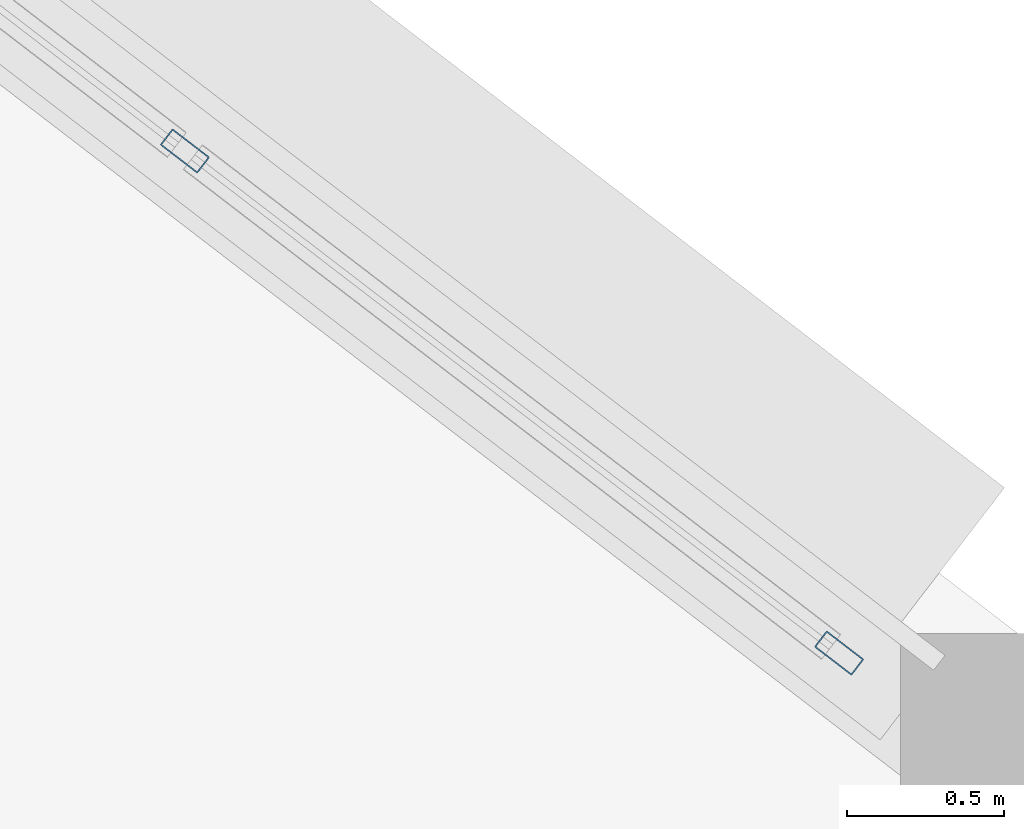
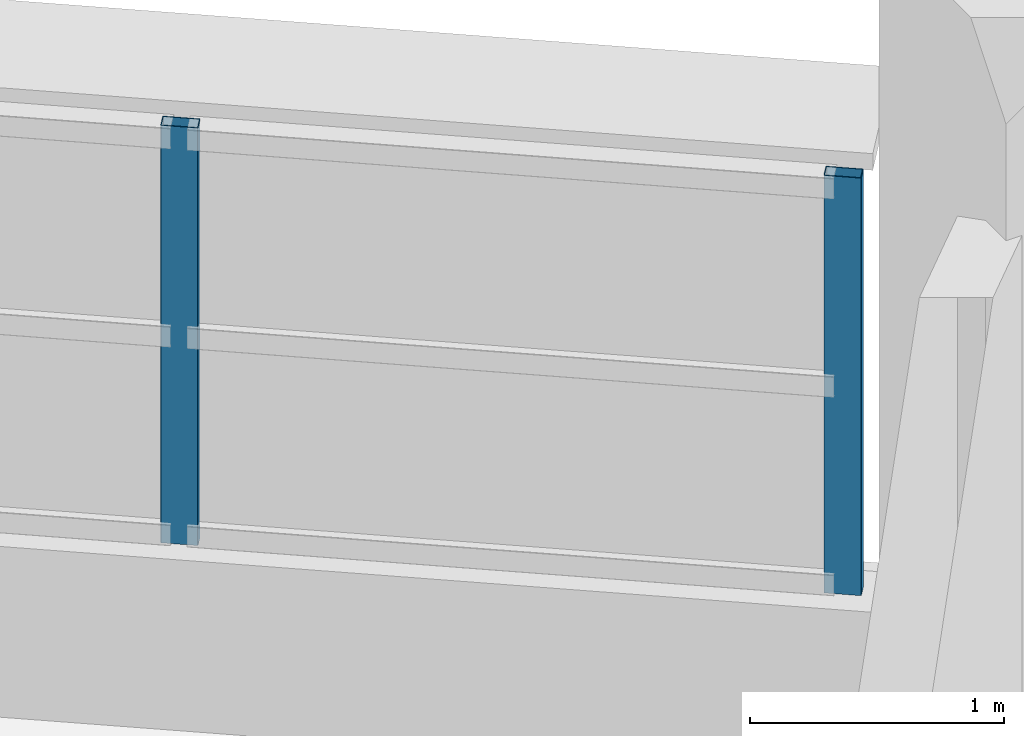
# One storey, part 48 of 88: 2 members, 1 element without a shape of its own.
"""IFC4 building model written with IfcOpenShell, lengths in metres."""

from ifc_helpers import new_model, si_unit, direction, frame, origin, origin_2d, place, context, subcontext, project, spatial, hollow_rectangle, extrude, material, layer, layer_set, material_profile, profile_set, type_object, element, aggregate, save


model = new_model("IFC4")

# Units and contexts
model_context = context("Model", 3, precision=1e-05, world=origin(), true_north=direction((0.0, 1.0)))
body_context = subcontext(model_context, "Body", "Model", "MODEL_VIEW")
ifc_project = project(units=[si_unit("LENGTHUNIT", "METRE"), si_unit("AREAUNIT", "SQUARE_METRE"), si_unit("VOLUMEUNIT", "CUBIC_METRE"), si_unit("PLANEANGLEUNIT", "RADIAN"), si_unit("MASSUNIT", "GRAM", prefix="KILO")], contexts=[model_context])

# Site, building, storey
site_placement = place(None, origin())
site = spatial("IfcSite", under=ifc_project, at=site_placement, CompositionType="ELEMENT")
building_placement = place(site_placement, origin())
building = spatial("IfcBuilding", under=site, at=building_placement, Name="Vespera Passage Community Centre", CompositionType="ELEMENT")
storey_placement = place(building_placement, frame((0.0, 0.0, 16.5)))
storey = spatial("IfcBuildingStorey", under=building, at=storey_placement, Name="L04", CompositionType="ELEMENT", Elevation=16.5)

# Curtain wall, members
ifc_material_1 = material(Name="Anodized aluminium 6063-T6", Category="aluminium")
ifc_layer = layer(ifc_material_1, 0.159912109375)
ifc_layer_set = layer_set([ifc_layer], Name="Anodized aluminium 6063-T6")
curtain_wall_type = type_object("IfcCurtainWallType", Name="CW-53E", PredefinedType="NOTDEFINED", material=ifc_layer_set)
curtain_wall_placement = place(storey_placement, origin())
curtain_wall = element("IfcCurtainWall", 1, at=curtain_wall_placement, inside=storey, type_object=curtain_wall_type, Name="V4 L04 Outer Ribbon Curtain Wall 3", PredefinedType="NOTDEFINED")
ifc_material_2 = material(Name="Anodized aluminium 6063-T6", Category="aluminium")
ifc_material_profile = material_profile(ifc_material_2, hollow_rectangle(XDim=0.06494140625, YDim=0.14990234375, WallThickness=0.00390625, InnerFilletRadius=0.001953125, OuterFilletRadius=0.00390625, at=origin_2d()), Name="ALU150X65X4")
ifc_profile_set = profile_set([ifc_material_profile], Name="Anodized aluminium 6063-T6")
member_type = type_object("IfcMemberType", Name="MB-CWM-150E", PredefinedType="MULLION", material=ifc_profile_set)
member_1_placement = place(storey_placement, frame((107.93798828125, 100.138427734375, 0.820068359375), z_axis=(0.0, 0.0, 1.0), x_axis=(0.608771824991, 0.793345363065, 0.0)))
member_1 = element("IfcMember", 2, at=member_1_placement, type_object=member_type, Name="CW-53E mullion 4", PredefinedType="MULLION", context=body_context, shape_type="SweptSolid", body=[
    extrude(hollow_rectangle(XDim=0.06494140625, YDim=0.14990234375, WallThickness=0.00390625, InnerFilletRadius=0.001953125, OuterFilletRadius=0.00390625, at=origin_2d()), origin(), (0.0, 0.0, 1.0), 2.005615234375),
])
member_2_placement = place(storey_placement, frame((110.026123046875, 98.535888671875, 0.820068359375), z_axis=(0.0, 0.0, 1.0), x_axis=(0.608771824991, 0.793345363065, 0.0)))
member_2 = element("IfcMember", 3, at=member_2_placement, type_object=member_type, Name="CW-53E mullion 5", PredefinedType="MULLION", context=body_context, shape_type="SweptSolid", body=[
    extrude(hollow_rectangle(XDim=0.06494140625, YDim=0.14990234375, WallThickness=0.00390625, InnerFilletRadius=0.001953125, OuterFilletRadius=0.00390625, at=origin_2d()), origin(), (0.0, 0.0, 1.0), 2.005615234375),
])
aggregate(curtain_wall, [member_1, member_2])

save(model, "model.ifc")
